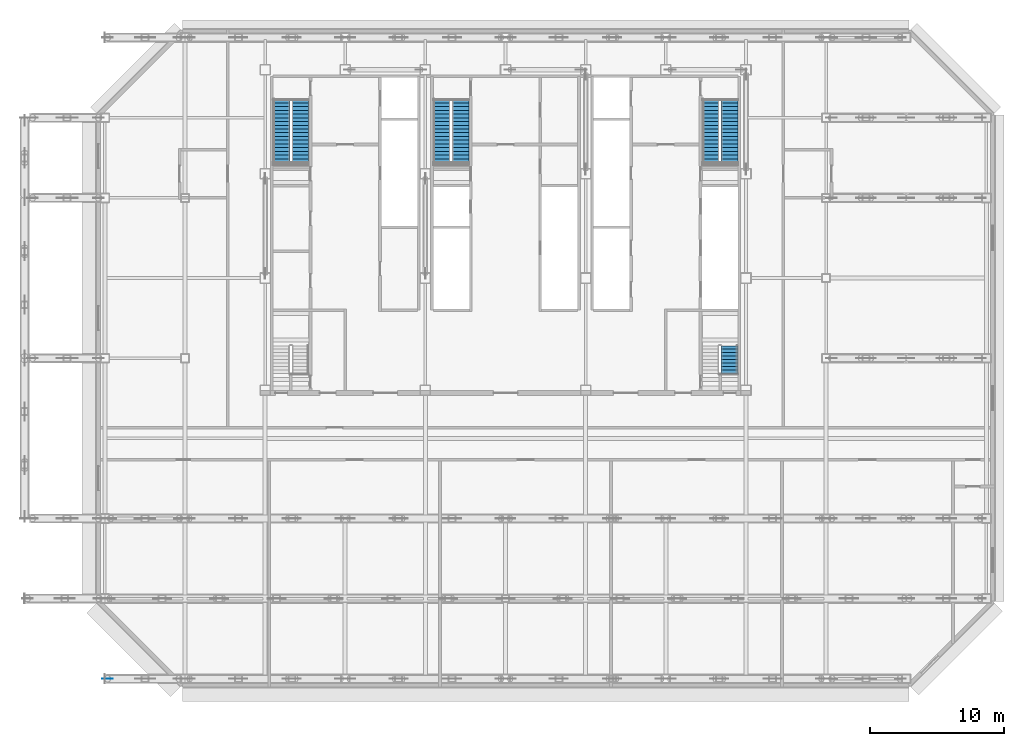
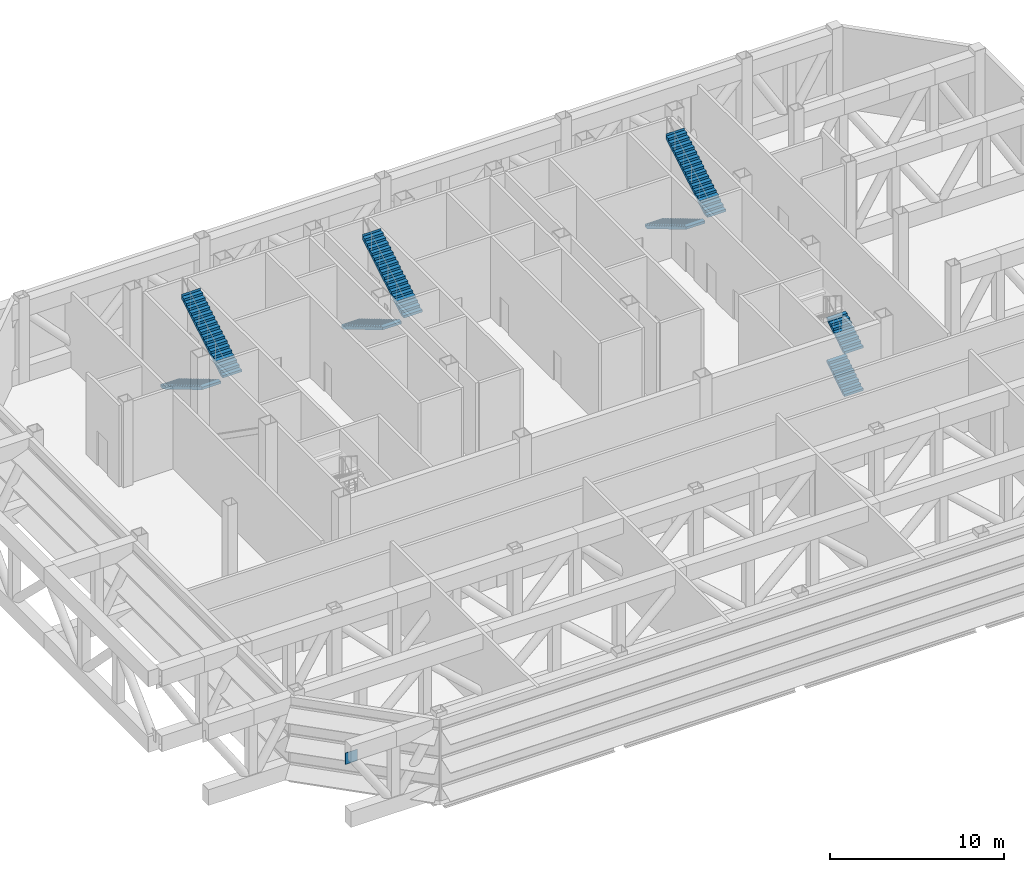
# One storey, part 10 of 17: 8 stair flights, 1 discrete accessory, 4 elements without a shape of their own.
"""IFC4 building model written with IfcOpenShell, lengths in metres."""

from ifc_helpers import new_model, si_unit, direction, frame, origin, origin_2d, place, context, subcontext, project, spatial, polyline, rectangle, outline, extrude, material, layer, layer_set, type_object, element, aggregate, save


model = new_model("IFC4")

# Units and contexts
model_context = context("Model", 3, precision=1e-05, world=origin(), true_north=direction((0.0, 1.0)))
body_context = subcontext(model_context, "Body", "Model", "MODEL_VIEW")
ifc_project = project(units=[si_unit("LENGTHUNIT", "METRE"), si_unit("AREAUNIT", "SQUARE_METRE"), si_unit("VOLUMEUNIT", "CUBIC_METRE"), si_unit("PLANEANGLEUNIT", "RADIAN"), si_unit("MASSUNIT", "GRAM", prefix="KILO")], contexts=[model_context])

# Site, building, storey
site_placement = place(None, origin())
site = spatial("IfcSite", under=ifc_project, at=site_placement, CompositionType="ELEMENT")
building_placement = place(site_placement, origin())
building = spatial("IfcBuilding", under=site, at=building_placement, Name="Sorahane Residences", CompositionType="ELEMENT")
storey_placement = place(building_placement, frame((0.0, 0.0, 186.0)))
storey = spatial("IfcBuildingStorey", under=building, at=storey_placement, Name="L43", CompositionType="ELEMENT", Elevation=186.0)

# Stair, stair flights
ifc_material_1 = material(Name="Concrete C40", Category="concrete")
stair_type = type_object("IfcStairType", Name="Dog-leg stair 1250 Concrete C40", PredefinedType="HALF_TURN_STAIR", material=ifc_material_1)
stair_1_placement = place(storey_placement, origin())
stair_1 = element("IfcStair", 1, at=stair_1_placement, inside=storey, type_object=stair_type, Name="L43 Stair S1", PredefinedType="HALF_TURN_STAIR")
ifc_material_2 = material(Name="Concrete C40", Category="concrete")
stair_flight_type = type_object("IfcStairFlightType", Name="Stair flight 1250 Concrete C40", PredefinedType="STRAIGHT", material=ifc_material_2)
stair_flight_1_placement = place(storey_placement, frame((7.22509765625, 43.39990234375, 0.0), z_axis=(0.0, 0.0, 1.0), x_axis=(0.0, -1.0, 0.0)))
stair_flight_1 = element("IfcStairFlight", 2, at=stair_flight_1_placement, type_object=stair_flight_type, Name="S1 flight 1", NumberOfRisers=18, NumberOfTreads=17, PredefinedType="STRAIGHT", RiserHeight=0.166666667, TreadLength=0.28, context=body_context, shape_type="SweptSolid", body=[
    extrude(outline(polyline([(-0.00146484375, 0.0), (-0.00146484375, 0.166748046875), (0.0, 0.166748046875), (0.280029296875, 0.166748046875), (0.280029296875, 0.333251953125), (0.56005859375, 0.333251953125), (0.56005859375, 0.5), (0.840087890625, 0.5), (0.840087890625, 0.666748046875), (1.1201171875, 0.666748046875), (1.1201171875, 0.833251953125), (1.39990234375, 0.833251953125), (1.39990234375, 1.0), (1.679931640625, 1.0), (1.679931640625, 1.166748046875), (1.9599609375, 1.166748046875), (1.9599609375, 1.333251953125), (2.239990234375, 1.333251953125), (2.239990234375, 1.5), (2.52001953125, 1.5), (2.52001953125, 1.666748046875), (2.800048828125, 1.666748046875), (2.800048828125, 1.833251953125), (3.080078125, 1.833251953125), (3.080078125, 2.0), (3.360107421875, 2.0), (3.360107421875, 2.166748046875), (3.639892578125, 2.166748046875), (3.639892578125, 2.333251953125), (3.919921875, 2.333251953125), (3.919921875, 2.5), (4.199951171875, 2.5), (4.199951171875, 2.666748046875), (4.47998046875, 2.666748046875), (4.47998046875, 2.833251953125), (4.760009765625, 2.833251953125), (4.760009765625, 3.0), (4.760009765625, 2.658935546875), (4.52490234375, 2.51904296875), (4.289794921875, 2.37890625), (4.0546875, 2.239013671875), (3.819580078125, 2.09912109375), (3.58447265625, 1.959228515625), (3.349365234375, 1.8193359375), (3.1142578125, 1.67919921875), (2.879150390625, 1.539306640625), (2.64404296875, 1.3994140625), (2.408935546875, 1.259521484375), (2.173828125, 1.11962890625), (1.938720703125, 0.9794921875), (1.70361328125, 0.839599609375), (1.468505859375, 0.69970703125), (1.2333984375, 0.559814453125), (0.998291015625, 0.419921875), (0.76318359375, 0.27978515625), (0.528076171875, 0.139892578125), (0.29296875, 0.0), (-0.00146484375, 0.0)])), frame((0.0, 0.625, 0.0), z_axis=(0.0, -1.0, 0.0), x_axis=(1.0, 0.0, 0.0)), (0.0, 0.0, 1.0), 1.25),
])
stair_flight_2_placement = place(storey_placement, frame((8.625, 38.639892578125, 3.0), z_axis=(0.0, 0.0, 1.0), x_axis=(0.0, 1.0, 0.0)))
stair_flight_2 = element("IfcStairFlight", 3, at=stair_flight_2_placement, type_object=stair_flight_type, Name="S1 flight 2", NumberOfRisers=18, NumberOfTreads=17, PredefinedType="STRAIGHT", RiserHeight=0.166666667, TreadLength=0.28, context=body_context, shape_type="SweptSolid", body=[
    extrude(outline(polyline([(0.0, 0.0), (0.0, 0.166748046875), (0.280029296875, 0.166748046875), (0.280029296875, 0.333251953125), (0.56005859375, 0.333251953125), (0.56005859375, 0.5), (0.840087890625, 0.5), (0.840087890625, 0.666748046875), (1.1201171875, 0.666748046875), (1.1201171875, 0.833251953125), (1.39990234375, 0.833251953125), (1.39990234375, 1.0), (1.679931640625, 1.0), (1.679931640625, 1.166748046875), (1.9599609375, 1.166748046875), (1.9599609375, 1.333251953125), (2.239990234375, 1.333251953125), (2.239990234375, 1.5), (2.52001953125, 1.5), (2.52001953125, 1.666748046875), (2.800048828125, 1.666748046875), (2.800048828125, 1.833251953125), (3.080078125, 1.833251953125), (3.080078125, 2.0), (3.360107421875, 2.0), (3.360107421875, 2.166748046875), (3.639892578125, 2.166748046875), (3.639892578125, 2.333251953125), (3.919921875, 2.333251953125), (3.919921875, 2.5), (4.199951171875, 2.5), (4.199951171875, 2.666748046875), (4.47998046875, 2.666748046875), (4.47998046875, 2.833251953125), (4.760009765625, 2.833251953125), (4.760009765625, 3.0), (4.761474609375, 3.0), (4.761474609375, 2.658935546875), (4.5263671875, 2.51904296875), (4.291259765625, 2.37890625), (4.055908203125, 2.239013671875), (3.82080078125, 2.09912109375), (3.585693359375, 1.959228515625), (3.350341796875, 1.8193359375), (3.115234375, 1.67919921875), (2.880126953125, 1.539306640625), (2.644775390625, 1.3994140625), (2.40966796875, 1.259521484375), (2.174560546875, 1.11962890625), (1.939453125, 0.9794921875), (1.7041015625, 0.839599609375), (1.468994140625, 0.69970703125), (1.23388671875, 0.559814453125), (0.99853515625, 0.419921875), (0.763427734375, 0.27978515625), (0.5283203125, 0.139892578125), (0.29296875, 0.0), (0.0, 0.0)])), frame((0.0, 0.625, 0.0), z_axis=(0.0, -1.0, 0.0), x_axis=(1.0, 0.0, 0.0)), (0.0, 0.0, 1.0), 1.25),
])
aggregate(stair_1, [stair_flight_1, stair_flight_2])

stair_2_placement = place(storey_placement, origin())
stair_2 = element("IfcStair", 4, at=stair_2_placement, inside=storey, type_object=stair_type, Name="L43 Stair S2", PredefinedType="HALF_TURN_STAIR")
stair_flight_3_placement = place(storey_placement, frame((39.375, 43.39990234375, 0.0), z_axis=(0.0, 0.0, 1.0), x_axis=(0.0, -1.0, 0.0)))
stair_flight_3 = element("IfcStairFlight", 5, at=stair_flight_3_placement, type_object=stair_flight_type, Name="S2 flight 1", NumberOfRisers=18, NumberOfTreads=17, PredefinedType="STRAIGHT", RiserHeight=0.166666667, TreadLength=0.28, context=body_context, shape_type="SweptSolid", body=[
    extrude(outline(polyline([(-0.00146484375, 0.0), (-0.00146484375, 0.166748046875), (0.0, 0.166748046875), (0.280029296875, 0.166748046875), (0.280029296875, 0.333251953125), (0.56005859375, 0.333251953125), (0.56005859375, 0.5), (0.840087890625, 0.5), (0.840087890625, 0.666748046875), (1.1201171875, 0.666748046875), (1.1201171875, 0.833251953125), (1.39990234375, 0.833251953125), (1.39990234375, 1.0), (1.679931640625, 1.0), (1.679931640625, 1.166748046875), (1.9599609375, 1.166748046875), (1.9599609375, 1.333251953125), (2.239990234375, 1.333251953125), (2.239990234375, 1.5), (2.52001953125, 1.5), (2.52001953125, 1.666748046875), (2.800048828125, 1.666748046875), (2.800048828125, 1.833251953125), (3.080078125, 1.833251953125), (3.080078125, 2.0), (3.360107421875, 2.0), (3.360107421875, 2.166748046875), (3.639892578125, 2.166748046875), (3.639892578125, 2.333251953125), (3.919921875, 2.333251953125), (3.919921875, 2.5), (4.199951171875, 2.5), (4.199951171875, 2.666748046875), (4.47998046875, 2.666748046875), (4.47998046875, 2.833251953125), (4.760009765625, 2.833251953125), (4.760009765625, 3.0), (4.760009765625, 2.658935546875), (4.52490234375, 2.51904296875), (4.289794921875, 2.37890625), (4.0546875, 2.239013671875), (3.819580078125, 2.09912109375), (3.58447265625, 1.959228515625), (3.349365234375, 1.8193359375), (3.1142578125, 1.67919921875), (2.879150390625, 1.539306640625), (2.64404296875, 1.3994140625), (2.408935546875, 1.259521484375), (2.173828125, 1.11962890625), (1.938720703125, 0.9794921875), (1.70361328125, 0.839599609375), (1.468505859375, 0.69970703125), (1.2333984375, 0.559814453125), (0.998291015625, 0.419921875), (0.76318359375, 0.27978515625), (0.528076171875, 0.139892578125), (0.29296875, 0.0), (-0.00146484375, 0.0)])), frame((0.0, 0.625, 0.0), z_axis=(0.0, -1.0, 0.0), x_axis=(1.0, 0.0, 0.0)), (0.0, 0.0, 1.0), 1.25),
])
stair_flight_4_placement = place(storey_placement, frame((40.77490234375, 38.639892578125, 3.0), z_axis=(0.0, 0.0, 1.0), x_axis=(0.0, 1.0, 0.0)))
stair_flight_4 = element("IfcStairFlight", 6, at=stair_flight_4_placement, type_object=stair_flight_type, Name="S2 flight 2", NumberOfRisers=18, NumberOfTreads=17, PredefinedType="STRAIGHT", RiserHeight=0.166666667, TreadLength=0.28, context=body_context, shape_type="SweptSolid", body=[
    extrude(outline(polyline([(0.0, 0.0), (0.0, 0.166748046875), (0.280029296875, 0.166748046875), (0.280029296875, 0.333251953125), (0.56005859375, 0.333251953125), (0.56005859375, 0.5), (0.840087890625, 0.5), (0.840087890625, 0.666748046875), (1.1201171875, 0.666748046875), (1.1201171875, 0.833251953125), (1.39990234375, 0.833251953125), (1.39990234375, 1.0), (1.679931640625, 1.0), (1.679931640625, 1.166748046875), (1.9599609375, 1.166748046875), (1.9599609375, 1.333251953125), (2.239990234375, 1.333251953125), (2.239990234375, 1.5), (2.52001953125, 1.5), (2.52001953125, 1.666748046875), (2.800048828125, 1.666748046875), (2.800048828125, 1.833251953125), (3.080078125, 1.833251953125), (3.080078125, 2.0), (3.360107421875, 2.0), (3.360107421875, 2.166748046875), (3.639892578125, 2.166748046875), (3.639892578125, 2.333251953125), (3.919921875, 2.333251953125), (3.919921875, 2.5), (4.199951171875, 2.5), (4.199951171875, 2.666748046875), (4.47998046875, 2.666748046875), (4.47998046875, 2.833251953125), (4.760009765625, 2.833251953125), (4.760009765625, 3.0), (4.761474609375, 3.0), (4.761474609375, 2.658935546875), (4.5263671875, 2.51904296875), (4.291259765625, 2.37890625), (4.055908203125, 2.239013671875), (3.82080078125, 2.09912109375), (3.585693359375, 1.959228515625), (3.350341796875, 1.8193359375), (3.115234375, 1.67919921875), (2.880126953125, 1.539306640625), (2.644775390625, 1.3994140625), (2.40966796875, 1.259521484375), (2.174560546875, 1.11962890625), (1.939453125, 0.9794921875), (1.7041015625, 0.839599609375), (1.468994140625, 0.69970703125), (1.23388671875, 0.559814453125), (0.99853515625, 0.419921875), (0.763427734375, 0.27978515625), (0.5283203125, 0.139892578125), (0.29296875, 0.0), (0.0, 0.0)])), frame((0.0, 0.625, 0.0), z_axis=(0.0, -1.0, 0.0), x_axis=(1.0, 0.0, 0.0)), (0.0, 0.0, 1.0), 1.25),
])
aggregate(stair_2, [stair_flight_3, stair_flight_4])

stair_3_placement = place(storey_placement, origin())
stair_3 = element("IfcStair", 7, at=stair_3_placement, inside=storey, type_object=stair_type, Name="L43 Stair S3", PredefinedType="HALF_TURN_STAIR")
stair_flight_5_placement = place(storey_placement, frame((19.22509765625, 43.39990234375, 0.0), z_axis=(0.0, 0.0, 1.0), x_axis=(0.0, -1.0, 0.0)))
stair_flight_5 = element("IfcStairFlight", 8, at=stair_flight_5_placement, type_object=stair_flight_type, Name="S3 flight 1", NumberOfRisers=18, NumberOfTreads=17, PredefinedType="STRAIGHT", RiserHeight=0.166666667, TreadLength=0.28, context=body_context, shape_type="SweptSolid", body=[
    extrude(outline(polyline([(-0.00146484375, 0.0), (-0.00146484375, 0.166748046875), (0.0, 0.166748046875), (0.280029296875, 0.166748046875), (0.280029296875, 0.333251953125), (0.56005859375, 0.333251953125), (0.56005859375, 0.5), (0.840087890625, 0.5), (0.840087890625, 0.666748046875), (1.1201171875, 0.666748046875), (1.1201171875, 0.833251953125), (1.39990234375, 0.833251953125), (1.39990234375, 1.0), (1.679931640625, 1.0), (1.679931640625, 1.166748046875), (1.9599609375, 1.166748046875), (1.9599609375, 1.333251953125), (2.239990234375, 1.333251953125), (2.239990234375, 1.5), (2.52001953125, 1.5), (2.52001953125, 1.666748046875), (2.800048828125, 1.666748046875), (2.800048828125, 1.833251953125), (3.080078125, 1.833251953125), (3.080078125, 2.0), (3.360107421875, 2.0), (3.360107421875, 2.166748046875), (3.639892578125, 2.166748046875), (3.639892578125, 2.333251953125), (3.919921875, 2.333251953125), (3.919921875, 2.5), (4.199951171875, 2.5), (4.199951171875, 2.666748046875), (4.47998046875, 2.666748046875), (4.47998046875, 2.833251953125), (4.760009765625, 2.833251953125), (4.760009765625, 3.0), (4.760009765625, 2.658935546875), (4.52490234375, 2.51904296875), (4.289794921875, 2.37890625), (4.0546875, 2.239013671875), (3.819580078125, 2.09912109375), (3.58447265625, 1.959228515625), (3.349365234375, 1.8193359375), (3.1142578125, 1.67919921875), (2.879150390625, 1.539306640625), (2.64404296875, 1.3994140625), (2.408935546875, 1.259521484375), (2.173828125, 1.11962890625), (1.938720703125, 0.9794921875), (1.70361328125, 0.839599609375), (1.468505859375, 0.69970703125), (1.2333984375, 0.559814453125), (0.998291015625, 0.419921875), (0.76318359375, 0.27978515625), (0.528076171875, 0.139892578125), (0.29296875, 0.0), (-0.00146484375, 0.0)])), frame((0.0, 0.625, 0.0), z_axis=(0.0, -1.0, 0.0), x_axis=(1.0, 0.0, 0.0)), (0.0, 0.0, 1.0), 1.25),
])
stair_flight_6_placement = place(storey_placement, frame((20.625, 38.639892578125, 3.0), z_axis=(0.0, 0.0, 1.0), x_axis=(0.0, 1.0, 0.0)))
stair_flight_6 = element("IfcStairFlight", 9, at=stair_flight_6_placement, type_object=stair_flight_type, Name="S3 flight 2", NumberOfRisers=18, NumberOfTreads=17, PredefinedType="STRAIGHT", RiserHeight=0.166666667, TreadLength=0.28, context=body_context, shape_type="SweptSolid", body=[
    extrude(outline(polyline([(0.0, 0.0), (0.0, 0.166748046875), (0.280029296875, 0.166748046875), (0.280029296875, 0.333251953125), (0.56005859375, 0.333251953125), (0.56005859375, 0.5), (0.840087890625, 0.5), (0.840087890625, 0.666748046875), (1.1201171875, 0.666748046875), (1.1201171875, 0.833251953125), (1.39990234375, 0.833251953125), (1.39990234375, 1.0), (1.679931640625, 1.0), (1.679931640625, 1.166748046875), (1.9599609375, 1.166748046875), (1.9599609375, 1.333251953125), (2.239990234375, 1.333251953125), (2.239990234375, 1.5), (2.52001953125, 1.5), (2.52001953125, 1.666748046875), (2.800048828125, 1.666748046875), (2.800048828125, 1.833251953125), (3.080078125, 1.833251953125), (3.080078125, 2.0), (3.360107421875, 2.0), (3.360107421875, 2.166748046875), (3.639892578125, 2.166748046875), (3.639892578125, 2.333251953125), (3.919921875, 2.333251953125), (3.919921875, 2.5), (4.199951171875, 2.5), (4.199951171875, 2.666748046875), (4.47998046875, 2.666748046875), (4.47998046875, 2.833251953125), (4.760009765625, 2.833251953125), (4.760009765625, 3.0), (4.761474609375, 3.0), (4.761474609375, 2.658935546875), (4.5263671875, 2.51904296875), (4.291259765625, 2.37890625), (4.055908203125, 2.239013671875), (3.82080078125, 2.09912109375), (3.585693359375, 1.959228515625), (3.350341796875, 1.8193359375), (3.115234375, 1.67919921875), (2.880126953125, 1.539306640625), (2.644775390625, 1.3994140625), (2.40966796875, 1.259521484375), (2.174560546875, 1.11962890625), (1.939453125, 0.9794921875), (1.7041015625, 0.839599609375), (1.468994140625, 0.69970703125), (1.23388671875, 0.559814453125), (0.99853515625, 0.419921875), (0.763427734375, 0.27978515625), (0.5283203125, 0.139892578125), (0.29296875, 0.0), (0.0, 0.0)])), frame((0.0, 0.625, 0.0), z_axis=(0.0, -1.0, 0.0), x_axis=(1.0, 0.0, 0.0)), (0.0, 0.0, 1.0), 1.25),
])
aggregate(stair_3, [stair_flight_5, stair_flight_6])

stair_4_placement = place(storey_placement, origin())
stair_4 = element("IfcStair", 10, at=stair_4_placement, inside=storey, type_object=stair_type, Name="L43 Stair S5", PredefinedType="HALF_TURN_STAIR")
stair_flight_7_placement = place(storey_placement, frame((40.77490234375, 22.85009765625, 0.0), z_axis=(0.0, 0.0, 1.0), x_axis=(0.0, 1.0, 0.0)))
stair_flight_7 = element("IfcStairFlight", 11, at=stair_flight_7_placement, type_object=stair_flight_type, Name="S5 flight 1", NumberOfRisers=9, NumberOfTreads=8, PredefinedType="STRAIGHT", RiserHeight=0.166666667, TreadLength=0.26, context=body_context, shape_type="SweptSolid", body=[
    extrude(outline(polyline([(-0.00146484375, 0.0), (-0.00146484375, 0.001953125), (-0.00146484375, 0.004150390625), (-0.00146484375, 0.006103515625), (-0.00146484375, 0.00830078125), (-0.00146484375, 0.01025390625), (-0.00146484375, 0.012451171875), (-0.00146484375, 0.014404296875), (-0.00146484375, 0.016357421875), (-0.00146484375, 0.0185546875), (-0.00146484375, 0.0205078125), (-0.00146484375, 0.022705078125), (-0.00146484375, 0.024658203125), (-0.00146484375, 0.02685546875), (-0.00146484375, 0.02880859375), (-0.00146484375, 0.03076171875), (-0.00146484375, 0.032958984375), (-0.00146484375, 0.034912109375), (-0.00146484375, 0.037109375), (-0.00146484375, 0.0390625), (-0.00146484375, 0.041259765625), (-0.00146484375, 0.043212890625), (-0.00146484375, 0.045166015625), (-0.00146484375, 0.04736328125), (-0.00146484375, 0.04931640625), (-0.00146484375, 0.051513671875), (-0.00146484375, 0.053466796875), (-0.00146484375, 0.0556640625), (-0.00146484375, 0.0576171875), (-0.00146484375, 0.0595703125), (-0.00146484375, 0.061767578125), (-0.00146484375, 0.063720703125), (-0.00146484375, 0.06591796875), (-0.00146484375, 0.06787109375), (-0.00146484375, 0.070068359375), (-0.00146484375, 0.072021484375), (-0.00146484375, 0.073974609375), (-0.00146484375, 0.076171875), (-0.00146484375, 0.078125), (-0.00146484375, 0.080322265625), (-0.00146484375, 0.082275390625), (-0.00146484375, 0.08447265625), (-0.00146484375, 0.08642578125), (-0.00146484375, 0.08837890625), (-0.00146484375, 0.090576171875), (-0.00146484375, 0.092529296875), (-0.00146484375, 0.0947265625), (-0.00146484375, 0.0966796875), (-0.00146484375, 0.098876953125), (-0.00146484375, 0.100830078125), (-0.00146484375, 0.102783203125), (-0.00146484375, 0.10498046875), (-0.00146484375, 0.10693359375), (-0.00146484375, 0.109130859375), (-0.00146484375, 0.111083984375), (-0.00146484375, 0.11328125), (-0.00146484375, 0.115234375), (-0.00146484375, 0.1171875), (-0.00146484375, 0.119384765625), (-0.00146484375, 0.121337890625), (-0.00146484375, 0.12353515625), (-0.00146484375, 0.12548828125), (-0.00146484375, 0.127685546875), (-0.00146484375, 0.129638671875), (-0.00146484375, 0.131591796875), (-0.00146484375, 0.1337890625), (-0.00146484375, 0.1357421875), (-0.00146484375, 0.137939453125), (-0.00146484375, 0.139892578125), (-0.00146484375, 0.14208984375), (-0.00146484375, 0.14404296875), (-0.00146484375, 0.14599609375), (-0.00146484375, 0.148193359375), (-0.00146484375, 0.150146484375), (-0.00146484375, 0.15234375), (-0.00146484375, 0.154296875), (-0.00146484375, 0.156494140625), (-0.00146484375, 0.158447265625), (-0.00146484375, 0.160400390625), (-0.00146484375, 0.16259765625), (-0.00146484375, 0.16455078125), (-0.00146484375, 0.166748046875), (0.0, 0.166748046875), (0.260009765625, 0.166748046875), (0.260009765625, 0.333251953125), (0.52001953125, 0.333251953125), (0.52001953125, 0.5), (0.780029296875, 0.5), (0.780029296875, 0.666748046875), (1.0400390625, 0.666748046875), (1.0400390625, 0.833251953125), (1.300048828125, 0.833251953125), (1.300048828125, 1.0), (1.56005859375, 1.0), (1.56005859375, 1.166748046875), (1.820068359375, 1.166748046875), (1.820068359375, 1.333251953125), (2.080078125, 1.333251953125), (2.080078125, 1.5), (2.080078125, 1.49609375), (2.080078125, 1.492431640625), (2.080078125, 1.488525390625), (2.080078125, 1.484619140625), (2.080078125, 1.48095703125), (2.080078125, 1.47705078125), (2.080078125, 1.47314453125), (2.080078125, 1.469482421875), (2.080078125, 1.465576171875), (2.080078125, 1.4619140625), (2.080078125, 1.4580078125), (2.080078125, 1.4541015625), (2.080078125, 1.450439453125), (2.080078125, 1.446533203125), (2.080078125, 1.442626953125), (2.080078125, 1.43896484375), (2.080078125, 1.43505859375), (2.080078125, 1.43115234375), (2.080078125, 1.427490234375), (2.080078125, 1.423583984375), (2.080078125, 1.419677734375), (2.080078125, 1.416015625), (2.080078125, 1.412109375), (2.080078125, 1.408447265625), (2.080078125, 1.404541015625), (2.080078125, 1.400634765625), (2.080078125, 1.39697265625), (2.080078125, 1.39306640625), (2.080078125, 1.38916015625), (2.080078125, 1.385498046875), (2.080078125, 1.381591796875), (2.080078125, 1.377685546875), (2.080078125, 1.3740234375), (2.080078125, 1.3701171875), (2.080078125, 1.3662109375), (2.080078125, 1.362548828125), (2.080078125, 1.358642578125), (2.080078125, 1.35498046875), (2.080078125, 1.35107421875), (2.080078125, 1.34716796875), (2.080078125, 1.343505859375), (2.080078125, 1.339599609375), (2.080078125, 1.335693359375), (2.080078125, 1.33203125), (2.080078125, 1.328125), (2.080078125, 1.32421875), (2.080078125, 1.320556640625), (2.080078125, 1.316650390625), (2.080078125, 1.312744140625), (2.080078125, 1.30908203125), (2.080078125, 1.30517578125), (2.080078125, 1.301513671875), (2.080078125, 1.297607421875), (2.080078125, 1.293701171875), (2.080078125, 1.2900390625), (2.080078125, 1.2861328125), (2.080078125, 1.2822265625), (2.080078125, 1.278564453125), (2.080078125, 1.274658203125), (2.080078125, 1.270751953125), (2.080078125, 1.26708984375), (2.080078125, 1.26318359375), (2.080078125, 1.25927734375), (2.080078125, 1.255615234375), (2.080078125, 1.251708984375), (2.080078125, 1.248046875), (2.080078125, 1.244140625), (2.080078125, 1.240234375), (2.080078125, 1.236572265625), (2.080078125, 1.232666015625), (2.080078125, 1.228759765625), (2.080078125, 1.22509765625), (2.080078125, 1.22119140625), (2.080078125, 1.21728515625), (2.080078125, 1.213623046875), (2.080078125, 1.209716796875), (2.080078125, 1.205810546875), (2.080078125, 1.2021484375), (2.080078125, 1.1982421875), (2.080078125, 1.194580078125), (2.080078125, 1.190673828125), (1.894287109375, 1.071533203125), (1.70849609375, 0.95263671875), (1.522705078125, 0.83349609375), (1.3369140625, 0.71435546875), (1.1513671875, 0.59521484375), (0.965576171875, 0.476318359375), (0.77978515625, 0.357177734375), (0.593994140625, 0.238037109375), (0.408203125, 0.119140625), (0.22265625, 0.0), (-0.00146484375, 0.0)])), frame((0.0, 0.625, 0.0), z_axis=(0.0, -1.0, 0.0), x_axis=(1.0, 0.0, 0.0)), (0.0, 0.0, 1.0), 1.25),
])
stair_flight_8_placement = place(storey_placement, frame((40.77490234375, 22.85009765625, 3.0), z_axis=(0.0, 0.0, 1.0), x_axis=(0.0, 1.0, 0.0)))
stair_flight_8 = element("IfcStairFlight", 12, at=stair_flight_8_placement, type_object=stair_flight_type, Name="S5 flight 3", NumberOfRisers=9, NumberOfTreads=8, PredefinedType="STRAIGHT", RiserHeight=0.166666667, TreadLength=0.26, context=body_context, shape_type="SweptSolid", body=[
    extrude(outline(polyline([(0.0, 0.0), (0.0, 0.001953125), (0.0, 0.004150390625), (0.0, 0.006103515625), (0.0, 0.00830078125), (0.0, 0.01025390625), (0.0, 0.012451171875), (0.0, 0.014404296875), (0.0, 0.016357421875), (0.0, 0.0185546875), (0.0, 0.0205078125), (0.0, 0.022705078125), (0.0, 0.024658203125), (0.0, 0.02685546875), (0.0, 0.02880859375), (0.0, 0.03076171875), (0.0, 0.032958984375), (0.0, 0.034912109375), (0.0, 0.037109375), (0.0, 0.0390625), (0.0, 0.041259765625), (0.0, 0.043212890625), (0.0, 0.045166015625), (0.0, 0.04736328125), (0.0, 0.04931640625), (0.0, 0.051513671875), (0.0, 0.053466796875), (0.0, 0.0556640625), (0.0, 0.0576171875), (0.0, 0.0595703125), (0.0, 0.061767578125), (0.0, 0.063720703125), (0.0, 0.06591796875), (0.0, 0.06787109375), (0.0, 0.070068359375), (0.0, 0.072021484375), (0.0, 0.073974609375), (0.0, 0.076171875), (0.0, 0.078125), (0.0, 0.080322265625), (0.0, 0.082275390625), (0.0, 0.08447265625), (0.0, 0.08642578125), (0.0, 0.08837890625), (0.0, 0.090576171875), (0.0, 0.092529296875), (0.0, 0.0947265625), (0.0, 0.0966796875), (0.0, 0.098876953125), (0.0, 0.100830078125), (0.0, 0.102783203125), (0.0, 0.10498046875), (0.0, 0.10693359375), (0.0, 0.109130859375), (0.0, 0.111083984375), (0.0, 0.11328125), (0.0, 0.115234375), (0.0, 0.1171875), (0.0, 0.119384765625), (0.0, 0.121337890625), (0.0, 0.12353515625), (0.0, 0.12548828125), (0.0, 0.127685546875), (0.0, 0.129638671875), (0.0, 0.131591796875), (0.0, 0.1337890625), (0.0, 0.1357421875), (0.0, 0.137939453125), (0.0, 0.139892578125), (0.0, 0.14208984375), (0.0, 0.14404296875), (0.0, 0.14599609375), (0.0, 0.148193359375), (0.0, 0.150146484375), (0.0, 0.15234375), (0.0, 0.154296875), (0.0, 0.156494140625), (0.0, 0.158447265625), (0.0, 0.160400390625), (0.0, 0.16259765625), (0.0, 0.16455078125), (0.0, 0.166748046875), (0.260009765625, 0.166748046875), (0.260009765625, 0.333251953125), (0.52001953125, 0.333251953125), (0.52001953125, 0.5), (0.780029296875, 0.5), (0.780029296875, 0.666748046875), (1.0400390625, 0.666748046875), (1.0400390625, 0.833251953125), (1.300048828125, 0.833251953125), (1.300048828125, 1.0), (1.56005859375, 1.0), (1.56005859375, 1.166748046875), (1.820068359375, 1.166748046875), (1.820068359375, 1.333251953125), (2.080078125, 1.333251953125), (2.080078125, 1.5), (2.080078125, 1.49609375), (2.080078125, 1.492431640625), (2.080078125, 1.488525390625), (2.080078125, 1.484619140625), (2.080078125, 1.48095703125), (2.080078125, 1.47705078125), (2.080078125, 1.47314453125), (2.080078125, 1.469482421875), (2.080078125, 1.465576171875), (2.080078125, 1.4619140625), (2.080078125, 1.4580078125), (2.080078125, 1.4541015625), (2.080078125, 1.450439453125), (2.080078125, 1.446533203125), (2.080078125, 1.442626953125), (2.080078125, 1.43896484375), (2.080078125, 1.43505859375), (2.080078125, 1.43115234375), (2.080078125, 1.427490234375), (2.080078125, 1.423583984375), (2.080078125, 1.419677734375), (2.080078125, 1.416015625), (2.080078125, 1.412109375), (2.080078125, 1.408447265625), (2.080078125, 1.404541015625), (2.080078125, 1.400634765625), (2.080078125, 1.39697265625), (2.080078125, 1.39306640625), (2.080078125, 1.38916015625), (2.080078125, 1.385498046875), (2.080078125, 1.381591796875), (2.080078125, 1.377685546875), (2.080078125, 1.3740234375), (2.080078125, 1.3701171875), (2.080078125, 1.3662109375), (2.080078125, 1.362548828125), (2.080078125, 1.358642578125), (2.080078125, 1.35498046875), (2.080078125, 1.35107421875), (2.080078125, 1.34716796875), (2.080078125, 1.343505859375), (2.080078125, 1.339599609375), (2.080078125, 1.335693359375), (2.080078125, 1.33203125), (2.080078125, 1.328125), (2.080078125, 1.32421875), (2.080078125, 1.320556640625), (2.080078125, 1.316650390625), (2.080078125, 1.312744140625), (2.080078125, 1.30908203125), (2.080078125, 1.30517578125), (2.080078125, 1.301513671875), (2.080078125, 1.297607421875), (2.080078125, 1.293701171875), (2.080078125, 1.2900390625), (2.080078125, 1.2861328125), (2.080078125, 1.2822265625), (2.080078125, 1.278564453125), (2.080078125, 1.274658203125), (2.080078125, 1.270751953125), (2.080078125, 1.26708984375), (2.080078125, 1.26318359375), (2.080078125, 1.25927734375), (2.080078125, 1.255615234375), (2.080078125, 1.251708984375), (2.080078125, 1.248046875), (2.080078125, 1.244140625), (2.080078125, 1.240234375), (2.080078125, 1.236572265625), (2.080078125, 1.232666015625), (2.080078125, 1.228759765625), (2.080078125, 1.22509765625), (2.080078125, 1.22119140625), (2.080078125, 1.21728515625), (2.080078125, 1.213623046875), (2.080078125, 1.209716796875), (2.080078125, 1.205810546875), (2.080078125, 1.2021484375), (2.080078125, 1.1982421875), (2.080078125, 1.194580078125), (2.080078125, 1.190673828125), (1.87353515625, 1.058349609375), (1.667236328125, 0.926025390625), (1.4609375, 0.793701171875), (1.25439453125, 0.661376953125), (1.048095703125, 0.529296875), (0.841796875, 0.39697265625), (0.63525390625, 0.2646484375), (0.428955078125, 0.13232421875), (0.22265625, 0.0), (0.0, 0.0)])), frame((0.0, 0.625, 0.0), z_axis=(0.0, -1.0, 0.0), x_axis=(1.0, 0.0, 0.0)), (0.0, 0.0, 1.0), 1.25),
])
aggregate(stair_4, [stair_flight_7, stair_flight_8])

# Discrete accessory
ifc_material_3 = material(Name="Steel Q420GJ", Category="steel")
ifc_layer = layer(ifc_material_3, 0.02490234375)
ifc_layer_set = layer_set([ifc_layer], Name="Node plate Steel Q420GJ 25")
discrete_accessory_type = type_object("IfcDiscreteAccessoryType", Name="Node plate Steel Q420GJ 25", PredefinedType="BRACKET", material=ifc_layer_set)
discrete_accessory_placement = place(storey_placement, frame((-5.792724609375, 0.0, 4.28125), z_axis=(0.0, 0.0, 1.0), x_axis=(1.0, 0.0, 0.0)))
element("IfcDiscreteAccessory", 13, at=discrete_accessory_placement, inside=storey, type_object=discrete_accessory_type, Name="Node plate L43 tr", PredefinedType="BRACKET", context=body_context, shape_type="SweptSolid", body=[
    extrude(rectangle(XDim=0.800048828125, YDim=0.02490234375, at=origin_2d()), origin(), (0.0, 0.0, 1.0), 0.800048828125),
])

save(model, "model.ifc")
